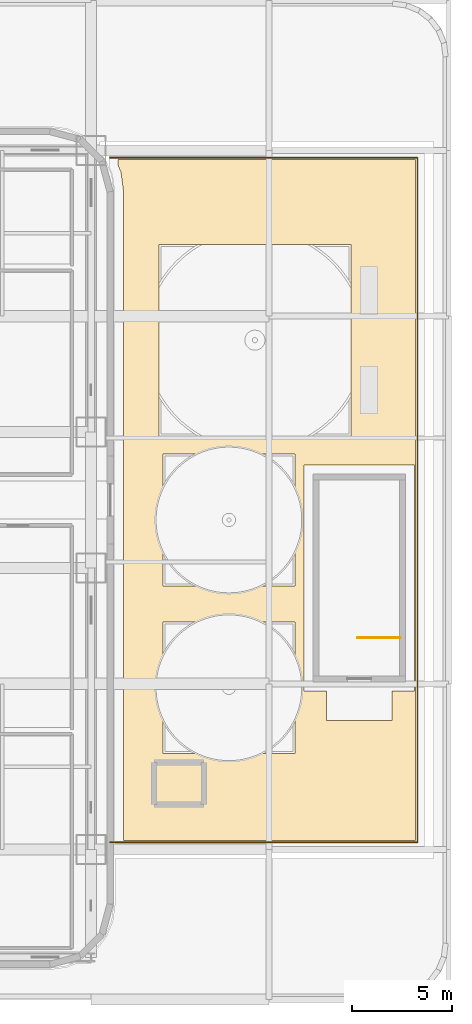
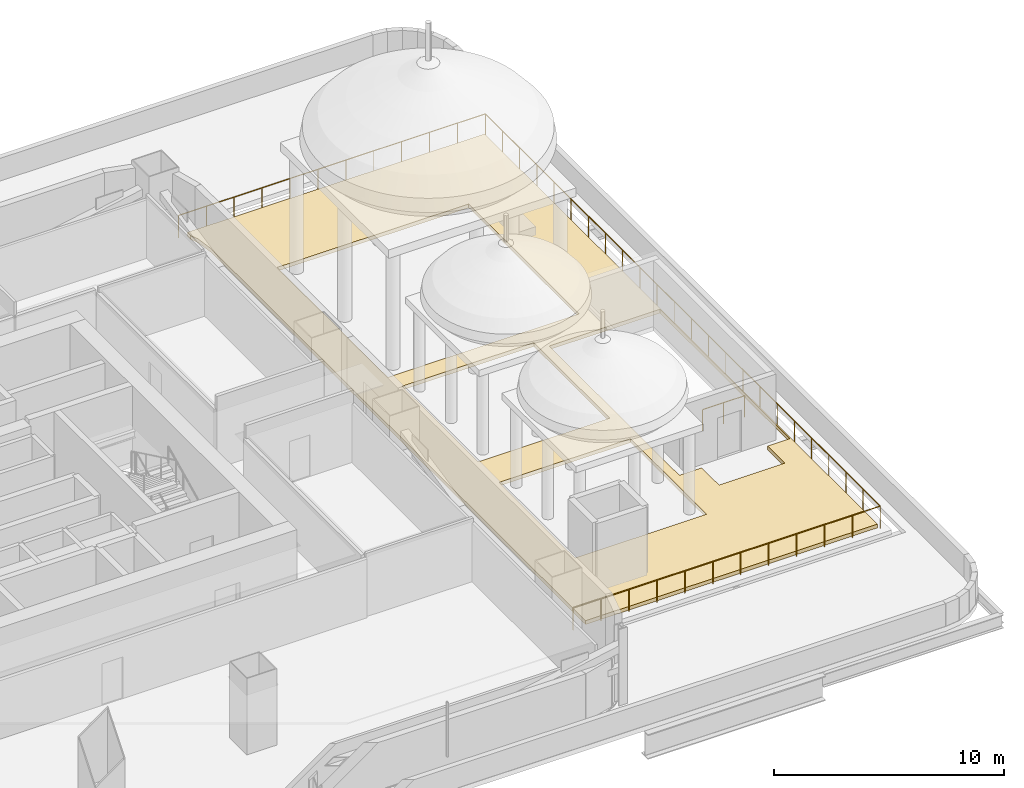
# One storey, part 30 of 30: 2 railings, 1 covering.
"""IFC4 building model written with IfcOpenShell, lengths in metres."""

import ifcopenshell
import ifcopenshell.guid

model = None  # the IFC model being written
_history = None  # IfcOwnerHistory: only IFC2X3 demands one
_inside = {}  # id of a spatial element -> (the spatial element, [elements in it])
_under = {}  # id of a project, library or spatial element -> (it, [spatial elements below it])
_declared = {}  # id of a project -> (the project, [libraries it declares])
_typed = {}  # id of a type object -> (the type object, [elements of that type])
_made_of = {}  # id of a material, layer set ... -> (it, [elements and type objects made of it])


def new_model(schema):
    """Start an empty IFC model of exactly this schema.

    Asked for "IFC4X3", IfcOpenShell would pick the latest addendum, in which some entities
    have other attributes; the version numbers below select the first issue.
    IFC2X3 requires an IfcOwnerHistory on every rooted entity: one is made here for all.
    """
    global model, _history
    if schema == "IFC4X3":
        model = ifcopenshell.file(schema_version=(4, 3, 0, 0))
    else:
        model = ifcopenshell.file(schema=schema)
    _inside.clear()
    _under.clear()
    _declared.clear()
    _typed.clear()
    _made_of.clear()
    _history = None
    if model.schema == "IFC2X3":
        org = make("IfcOrganization", Name="unknown")
        user = make(
            "IfcPersonAndOrganization",
            ThePerson=make("IfcPerson", FamilyName="unknown"),
            TheOrganization=org,
        )
        app = make(
            "IfcApplication",
            ApplicationDeveloper=org,
            Version="unknown",
            ApplicationFullName="unknown",
            ApplicationIdentifier="unknown",
        )
        _history = make(
            "IfcOwnerHistory",
            OwningUser=user,
            OwningApplication=app,
            ChangeAction="ADDED",
            CreationDate=0,
        )
    return model


def make(cls, **values):
    """One entity of the class cls with the attributes given. An attribute that is None is left unset."""
    return model.create_entity(
        cls, **{name: value for name, value in values.items() if value is not None}
    )


def rooted(cls, **values):
    """An entity with a GlobalId (a new one), such as an element, a storey or a relation."""
    return make(cls, GlobalId=ifcopenshell.guid.new(), OwnerHistory=_history, **values)


def si_unit(unit_type, name, prefix=None):
    """IfcSIUnit, for example si_unit("LENGTHUNIT", "METRE", prefix="MILLI")."""
    return make("IfcSIUnit", UnitType=unit_type, Prefix=prefix, Name=name)


def assignment(units):
    """IfcUnitAssignment: the units of a project."""
    return None if units is None else make("IfcUnitAssignment", Units=units)


def point(xyz):
    """IfcCartesianPoint."""
    return None if xyz is None else make("IfcCartesianPoint", Coordinates=xyz)


def direction(xyz):
    """IfcDirection."""
    return None if xyz is None else make("IfcDirection", DirectionRatios=xyz)


def frame(location, z_axis=None, x_axis=None):
    """IfcAxis2Placement3D, a coordinate frame: its origin and axes. An axis left out is left unset."""
    return make(
        "IfcAxis2Placement3D",
        Location=point(location),
        Axis=direction(z_axis),
        RefDirection=direction(x_axis),
    )


def frame_2d(location, x_axis=None):
    """IfcAxis2Placement2D, a coordinate frame in the plane: its origin and x axis."""
    return make(
        "IfcAxis2Placement2D", Location=point(location), RefDirection=direction(x_axis)
    )


def origin():
    """The frame at (0, 0, 0) with its axes left unset."""
    return frame((0.0, 0.0, 0.0))


def origin_2d():
    """The frame at (0, 0) in the plane with its x axis left unset."""
    return frame_2d((0.0, 0.0))


def place(relative_to, where):
    """IfcLocalPlacement: puts the frame where relative to a parent placement (None: the world)."""
    return make(
        "IfcLocalPlacement", PlacementRelTo=relative_to, RelativePlacement=where
    )


def context(
    kind, dimensions, precision=None, world=None, true_north=None, identifier=None
):
    """IfcGeometricRepresentationContext, for example the 3D "Model" context."""
    return make(
        "IfcGeometricRepresentationContext",
        ContextIdentifier=identifier,
        ContextType=kind,
        CoordinateSpaceDimension=dimensions,
        Precision=precision,
        WorldCoordinateSystem=world,
        TrueNorth=true_north,
    )


def subcontext(parent, identifier, kind, view, scale=None):
    """IfcGeometricRepresentationSubContext, for example "Body" below "Model"."""
    return make(
        "IfcGeometricRepresentationSubContext",
        ContextIdentifier=identifier,
        ContextType=kind,
        ParentContext=parent,
        TargetScale=scale,
        TargetView=view,
    )


def project(units=None, contexts=None):
    """IfcProject with its units and contexts."""
    return rooted(
        "IfcProject",
        Name="project",
        RepresentationContexts=contexts,
        UnitsInContext=assignment(units),
    )


def spatial(cls, under=None, at=None, **own):
    """A site, building, storey or space (cls), placed at a placement, below another one or the project."""
    s = rooted(cls, ObjectPlacement=at, **own)
    if under is not None:
        _under.setdefault(under.id(), (under, []))[1].append(s)
    return s


def polyline(points):
    """IfcPolyline through the points."""
    return make("IfcPolyline", Points=[point(p) for p in points])


def profile(cls, at=None, kind="AREA", **sizes):
    """A parametric profile (cls). Its sizes go by their IFC names, for example OverallWidth=200.0."""
    return make(cls, ProfileType=kind, Position=at, **sizes)


def circle(**sizes):
    """IfcCircleProfileDef."""
    return profile("IfcCircleProfileDef", **sizes)


def outline(outer, holes=None, kind="AREA"):
    """IfcArbitraryClosedProfileDef: a profile drawn as a closed curve; with holes, ...WithVoids."""
    if holes is None:
        return make("IfcArbitraryClosedProfileDef", ProfileType=kind, OuterCurve=outer)
    return make(
        "IfcArbitraryProfileDefWithVoids",
        ProfileType=kind,
        OuterCurve=outer,
        InnerCurves=holes,
    )


def extrude(swept, where, along, depth):
    """IfcExtrudedAreaSolid: the profile swept, set in the frame where, extruded along a direction by depth."""
    return make(
        "IfcExtrudedAreaSolid",
        SweptArea=swept,
        Position=where,
        ExtrudedDirection=direction(along),
        Depth=depth,
    )


def shape(context_of_items, identifier, shape_type, items):
    """IfcShapeRepresentation: the items that make up one representation, for example the "Body"."""
    return make(
        "IfcShapeRepresentation",
        ContextOfItems=context_of_items,
        RepresentationIdentifier=identifier,
        RepresentationType=shape_type,
        Items=items,
    )


def material(Name=None, Category=None):
    """IfcMaterial."""
    return make("IfcMaterial", Name=Name, Category=Category)


def layer(
    of_material, thickness, ventilated=None, Name=None, Category=None, Priority=None
):
    """IfcMaterialLayer: one layer of a wall or slab, of a material (None: an air gap)."""
    return make(
        "IfcMaterialLayer",
        Material=of_material,
        LayerThickness=thickness,
        IsVentilated=ventilated,
        Name=Name,
        Category=Category,
        Priority=Priority,
    )


def layer_set(layers, Name=None):
    """IfcMaterialLayerSet."""
    return make("IfcMaterialLayerSet", MaterialLayers=layers, LayerSetName=Name)


def made_of(thing, what):
    """Note that an element or type object is made of a material, layer set ...; save() writes the relation."""
    if what is not None:
        _made_of.setdefault(what.id(), (what, []))[1].append(thing)
    return thing


def type_object(cls, material=None, **own):
    """A type object (cls), such as IfcWallType, which elements share."""
    return made_of(rooted(cls, **own), material)


def element(
    cls,
    number,
    at=None,
    inside=None,
    cuts=None,
    type_object=None,
    material=None,
    context=None,
    identifier="Body",
    shape_type=None,
    held_by="IfcProductDefinitionShape",
    body=None,
    shapes=None,
    **own,
):
    """One element of the class cls, such as IfcWall. Its Tag is "e" and its number.

    at: its placement. inside: the storey or other place that contains it. cuts: it is an
    opening in that element (IfcRelVoidsElement). A single representation is given by context,
    identifier, shape_type and body (its items); several are given by shapes. held_by: the class
    of the entity that holds the representations. save() writes the other relations.
    """
    e = rooted(cls, Tag="e%d" % number, ObjectPlacement=at, **own)
    if body is not None:
        shapes = [shape(context, identifier, shape_type, body)]
    if shapes is not None:
        e.Representation = make(held_by, Representations=shapes)
    if inside is not None:
        _inside.setdefault(inside.id(), (inside, []))[1].append(e)
    if cuts is not None:
        rooted(
            "IfcRelVoidsElement", RelatingBuildingElement=cuts, RelatedOpeningElement=e
        )
    if type_object is not None:
        _typed.setdefault(type_object.id(), (type_object, []))[1].append(e)
    return made_of(e, material)


def aggregate(whole, parts):
    """IfcRelAggregates: a whole, such as a stair, and the parts it consists of."""
    return rooted("IfcRelAggregates", RelatingObject=whole, RelatedObjects=parts)


def save(model, path):
    """Write the relations noted so far, then the file.

    IfcRelAggregates (storeys below a building ...), IfcRelContainedInSpatialStructure (elements
    in a storey), IfcRelDefinesByType, IfcRelAssociatesMaterial and IfcRelDeclares: one each for
    every whole, place, type object, material and project.
    """
    for whole, parts in _under.values():
        aggregate(whole, parts)
    for where, things in _inside.values():
        rooted(
            "IfcRelContainedInSpatialStructure",
            RelatedElements=things,
            RelatingStructure=where,
        )
    for kind, things in _typed.values():
        rooted("IfcRelDefinesByType", RelatedObjects=things, RelatingType=kind)
    for what, things in _made_of.values():
        rooted("IfcRelAssociatesMaterial", RelatedObjects=things, RelatingMaterial=what)
    for by, libraries in _declared.values():
        rooted("IfcRelDeclares", RelatingContext=by, RelatedDefinitions=libraries)
    model.write(path)


model = new_model("IFC4")

# Units and contexts
model_context = context("Model", 3, precision=1e-05, world=origin(), true_north=direction((0.0, 1.0)))
body_context = subcontext(model_context, "Body", "Model", "MODEL_VIEW")
ifc_project = project(units=[si_unit("LENGTHUNIT", "METRE"), si_unit("AREAUNIT", "SQUARE_METRE"), si_unit("VOLUMEUNIT", "CUBIC_METRE"), si_unit("PLANEANGLEUNIT", "RADIAN"), si_unit("MASSUNIT", "GRAM", prefix="KILO")], contexts=[model_context])

# Site, building, storey
site_placement = place(None, origin())
site = spatial("IfcSite", under=ifc_project, at=site_placement, CompositionType="ELEMENT")
building_placement = place(site_placement, origin())
building = spatial("IfcBuilding", under=site, at=building_placement, Name="Punatoya Terracotta Tower", CompositionType="ELEMENT")
storey_placement = place(building_placement, frame((0.0, 0.0, 28.199951171875)))
storey = spatial("IfcBuildingStorey", under=building, at=storey_placement, Name="L05", CompositionType="ELEMENT", Elevation=28.199951171875)

# Covering
ifc_material_1 = material(Name="Green Roof Planting Soil Medium")
ifc_layer = layer(ifc_material_1, 0.35009765625)
ifc_layer_set = layer_set([ifc_layer], Name="Green Roof Planting Soil Medium")
covering_type = type_object("IfcCoveringType", Name="COV-TER-350", PredefinedType="ROOFING", material=ifc_layer_set)
covering_placement = place(storey_placement, origin())
element("IfcCovering", 1, at=covering_placement, inside=storey, type_object=covering_type, Name="L05 L05 Podium Charbagh Roof Garden Planted Soil Bed", PredefinedType="ROOFING", context=body_context, shape_type="SweptSolid", body=[
    extrude(outline(polyline([(20.598876953125, 16.40087890625), (20.449951171875, 16.760498046875), (20.449951171875, 17.050048828125), (35.35009765625, 17.050048828125), (35.35009765625, -17.050048828125), (20.719970703125, -17.050048828125), (20.719970703125, 15.480712890625), (20.598876953125, 16.40087890625)]), holes=[polyline([(30.875, -11.050048828125), (34.175048828125, -11.050048828125), (34.175048828125, -9.550048828125), (35.300048828125, -9.550048828125), (35.300048828125, 1.75), (29.75, 1.75), (29.75, -9.550048828125), (30.875, -9.550048828125), (30.875, -11.050048828125)]), polyline([(22.5, 3.199951171875), (32.10009765625, 3.199951171875), (32.10009765625, 12.800048828125), (22.5, 12.800048828125), (22.5, 3.199951171875)]), polyline([(22.699951171875, 2.300048828125), (22.699951171875, -4.300048828125), (29.300048828125, -4.300048828125), (29.300048828125, 2.300048828125), (22.699951171875, 2.300048828125)]), polyline([(29.300048828125, -6.10009765625), (22.699951171875, -6.10009765625), (22.699951171875, -12.699951171875), (29.300048828125, -12.699951171875), (29.300048828125, -6.10009765625)])]), origin(), (0.0, 0.0, 1.0), 0.199951171875),
])

# Railings
ifc_material_2 = material(Name="Steel S355", Category="steel")
railing_type_1 = type_object("IfcRailingType", Name="RLG-BAL-1200", PredefinedType="BALUSTRADE", material=ifc_material_2)
railing_1_placement = place(storey_placement, frame((20.050048828125, -17.139892578125, 0.0)))
element("IfcRailing", 2, at=railing_1_placement, inside=storey, type_object=railing_type_1, Name="L05 L05 Podium Charbagh Roof Garden Guardrail", PredefinedType="BALUSTRADE", context=body_context, shape_type="SweptSolid", body=[
    extrude(circle(Radius=0.02392578125, at=origin_2d()), frame((0.0, 0.0, 1.17578125), z_axis=(1.0, 0.0, 0.0), x_axis=(0.0, 1.0, 0.0)), (0.0, 0.0, 1.0), 15.389892578125),
    extrude(circle(Radius=0.02392578125, at=origin_2d()), frame((15.389892578125, 0.0, 1.17578125), z_axis=(0.0, 1.0, 0.0), x_axis=(-1.0, 0.0, 0.0)), (0.0, 0.0, 1.0), 34.27978515625),
    extrude(circle(Radius=0.02392578125, at=origin_2d()), frame((15.389892578125, 34.27978515625, 1.17578125), z_axis=(-1.0, 0.0, 0.0), x_axis=(0.0, -1.0, 0.0)), (0.0, 0.0, 1.0), 15.389892578125),
    extrude(circle(Radius=0.02099609375, at=origin_2d()), origin(), (0.0, 0.0, 1.0), 1.15185546875),
    extrude(circle(Radius=0.02099609375, at=origin_2d()), frame((1.399169921875, 0.0, 0.0)), (0.0, 0.0, 1.0), 1.15185546875),
    extrude(circle(Radius=0.02099609375, at=origin_2d()), frame((2.798095703125, 0.0, 0.0)), (0.0, 0.0, 1.0), 1.15185546875),
    extrude(circle(Radius=0.02099609375, at=origin_2d()), frame((4.197265625, 0.0, 0.0)), (0.0, 0.0, 1.0), 1.15185546875),
    extrude(circle(Radius=0.02099609375, at=origin_2d()), frame((5.596435546875, 0.0, 0.0)), (0.0, 0.0, 1.0), 1.15185546875),
    extrude(circle(Radius=0.02099609375, at=origin_2d()), frame((6.995361328125, 0.0, 0.0)), (0.0, 0.0, 1.0), 1.15185546875),
    extrude(circle(Radius=0.02099609375, at=origin_2d()), frame((8.39453125, 0.0, 0.0)), (0.0, 0.0, 1.0), 1.15185546875),
    extrude(circle(Radius=0.02099609375, at=origin_2d()), frame((9.79345703125, 0.0, 0.0)), (0.0, 0.0, 1.0), 1.15185546875),
    extrude(circle(Radius=0.02099609375, at=origin_2d()), frame((11.192626953125, 0.0, 0.0)), (0.0, 0.0, 1.0), 1.15185546875),
    extrude(circle(Radius=0.02099609375, at=origin_2d()), frame((12.591796875, 0.0, 0.0)), (0.0, 0.0, 1.0), 1.15185546875),
    extrude(circle(Radius=0.02099609375, at=origin_2d()), frame((13.99072265625, 0.0, 0.0)), (0.0, 0.0, 1.0), 1.15185546875),
    extrude(circle(Radius=0.02099609375, at=origin_2d()), frame((15.389892578125, 0.0, 0.0)), (0.0, 0.0, 1.0), 1.15185546875),
    extrude(circle(Radius=0.02099609375, at=origin_2d()), frame((15.389892578125, 1.490478515625, 0.0)), (0.0, 0.0, 1.0), 1.15185546875),
    extrude(circle(Radius=0.02099609375, at=origin_2d()), frame((15.389892578125, 2.98095703125, 0.0)), (0.0, 0.0, 1.0), 1.15185546875),
    extrude(circle(Radius=0.02099609375, at=origin_2d()), frame((15.389892578125, 4.47119140625, 0.0)), (0.0, 0.0, 1.0), 1.15185546875),
    extrude(circle(Radius=0.02099609375, at=origin_2d()), frame((15.389892578125, 5.961669921875, 0.0)), (0.0, 0.0, 1.0), 1.15185546875),
    extrude(circle(Radius=0.02099609375, at=origin_2d()), frame((15.389892578125, 7.4521484375, 0.0)), (0.0, 0.0, 1.0), 1.15185546875),
    extrude(circle(Radius=0.02099609375, at=origin_2d()), frame((15.389892578125, 8.942626953125, 0.0)), (0.0, 0.0, 1.0), 1.15185546875),
    extrude(circle(Radius=0.02099609375, at=origin_2d()), frame((15.389892578125, 10.432861328125, 0.0)), (0.0, 0.0, 1.0), 1.15185546875),
    extrude(circle(Radius=0.02099609375, at=origin_2d()), frame((15.389892578125, 11.92333984375, 0.0)), (0.0, 0.0, 1.0), 1.15185546875),
    extrude(circle(Radius=0.02099609375, at=origin_2d()), frame((15.389892578125, 13.413818359375, 0.0)), (0.0, 0.0, 1.0), 1.15185546875),
    extrude(circle(Radius=0.02099609375, at=origin_2d()), frame((15.389892578125, 14.904296875, 0.0)), (0.0, 0.0, 1.0), 1.15185546875),
    extrude(circle(Radius=0.02099609375, at=origin_2d()), frame((15.389892578125, 16.394775390625, 0.0)), (0.0, 0.0, 1.0), 1.15185546875),
    extrude(circle(Radius=0.02099609375, at=origin_2d()), frame((15.389892578125, 17.885009765625, 0.0)), (0.0, 0.0, 1.0), 1.15185546875),
    extrude(circle(Radius=0.02099609375, at=origin_2d()), frame((15.389892578125, 19.37548828125, 0.0)), (0.0, 0.0, 1.0), 1.15185546875),
    extrude(circle(Radius=0.02099609375, at=origin_2d()), frame((15.389892578125, 20.865966796875, 0.0)), (0.0, 0.0, 1.0), 1.15185546875),
    extrude(circle(Radius=0.02099609375, at=origin_2d()), frame((15.389892578125, 22.3564453125, 0.0)), (0.0, 0.0, 1.0), 1.15185546875),
    extrude(circle(Radius=0.02099609375, at=origin_2d()), frame((15.389892578125, 23.846923828125, 0.0)), (0.0, 0.0, 1.0), 1.15185546875),
    extrude(circle(Radius=0.02099609375, at=origin_2d()), frame((15.389892578125, 25.337158203125, 0.0)), (0.0, 0.0, 1.0), 1.15185546875),
    extrude(circle(Radius=0.02099609375, at=origin_2d()), frame((15.389892578125, 26.82763671875, 0.0)), (0.0, 0.0, 1.0), 1.15185546875),
    extrude(circle(Radius=0.02099609375, at=origin_2d()), frame((15.389892578125, 28.318115234375, 0.0)), (0.0, 0.0, 1.0), 1.15185546875),
    extrude(circle(Radius=0.02099609375, at=origin_2d()), frame((15.389892578125, 29.80859375, 0.0)), (0.0, 0.0, 1.0), 1.15185546875),
    extrude(circle(Radius=0.02099609375, at=origin_2d()), frame((15.389892578125, 31.298828125, 0.0)), (0.0, 0.0, 1.0), 1.15185546875),
    extrude(circle(Radius=0.02099609375, at=origin_2d()), frame((15.389892578125, 32.789306640625, 0.0)), (0.0, 0.0, 1.0), 1.15185546875),
    extrude(circle(Radius=0.02099609375, at=origin_2d()), frame((15.389892578125, 34.27978515625, 0.0)), (0.0, 0.0, 1.0), 1.15185546875),
    extrude(circle(Radius=0.02099609375, at=origin_2d()), frame((13.99072265625, 34.27978515625, 0.0)), (0.0, 0.0, 1.0), 1.15185546875),
    extrude(circle(Radius=0.02099609375, at=origin_2d()), frame((12.591796875, 34.27978515625, 0.0)), (0.0, 0.0, 1.0), 1.15185546875),
    extrude(circle(Radius=0.02099609375, at=origin_2d()), frame((11.192626953125, 34.27978515625, 0.0)), (0.0, 0.0, 1.0), 1.15185546875),
    extrude(circle(Radius=0.02099609375, at=origin_2d()), frame((9.79345703125, 34.27978515625, 0.0)), (0.0, 0.0, 1.0), 1.15185546875),
    extrude(circle(Radius=0.02099609375, at=origin_2d()), frame((8.39453125, 34.27978515625, 0.0)), (0.0, 0.0, 1.0), 1.15185546875),
    extrude(circle(Radius=0.02099609375, at=origin_2d()), frame((6.995361328125, 34.27978515625, 0.0)), (0.0, 0.0, 1.0), 1.15185546875),
    extrude(circle(Radius=0.02099609375, at=origin_2d()), frame((5.596435546875, 34.27978515625, 0.0)), (0.0, 0.0, 1.0), 1.15185546875),
    extrude(circle(Radius=0.02099609375, at=origin_2d()), frame((4.197265625, 34.27978515625, 0.0)), (0.0, 0.0, 1.0), 1.15185546875),
    extrude(circle(Radius=0.02099609375, at=origin_2d()), frame((2.798095703125, 34.27978515625, 0.0)), (0.0, 0.0, 1.0), 1.15185546875),
    extrude(circle(Radius=0.02099609375, at=origin_2d()), frame((1.399169921875, 34.27978515625, 0.0)), (0.0, 0.0, 1.0), 1.15185546875),
    extrude(circle(Radius=0.02099609375, at=origin_2d()), frame((0.0, 34.27978515625, 0.0)), (0.0, 0.0, 1.0), 1.15185546875),
])
railing_type_2 = type_object("IfcRailingType", Name="RLG-GRD-1150", PredefinedType="GUARDRAIL", material=ifc_material_2)
railing_2_placement = place(storey_placement, frame((34.550048828125, -6.89990234375, 0.0)))
element("IfcRailing", 3, at=railing_2_placement, inside=storey, type_object=railing_type_2, Name="L05 ST-P2 top well guard 1", PredefinedType="GUARDRAIL", context=body_context, shape_type="SweptSolid", body=[
    extrude(circle(Radius=0.02392578125, at=origin_2d()), frame((0.0, 0.0, 1.1259765625), z_axis=(-1.0, 0.0, 0.0), x_axis=(0.0, -1.0, 0.0)), (0.0, 0.0, 1.0), 2.10009765625),
    extrude(circle(Radius=0.02099609375, at=origin_2d()), origin(), (0.0, 0.0, 1.0), 1.101806640625),
    extrude(circle(Radius=0.02099609375, at=origin_2d()), frame((-1.050048828125, 0.0, 0.0)), (0.0, 0.0, 1.0), 1.101806640625),
    extrude(circle(Radius=0.02099609375, at=origin_2d()), frame((-2.10009765625, 0.0, 0.0)), (0.0, 0.0, 1.0), 1.101806640625),
])

save(model, "model.ifc")
